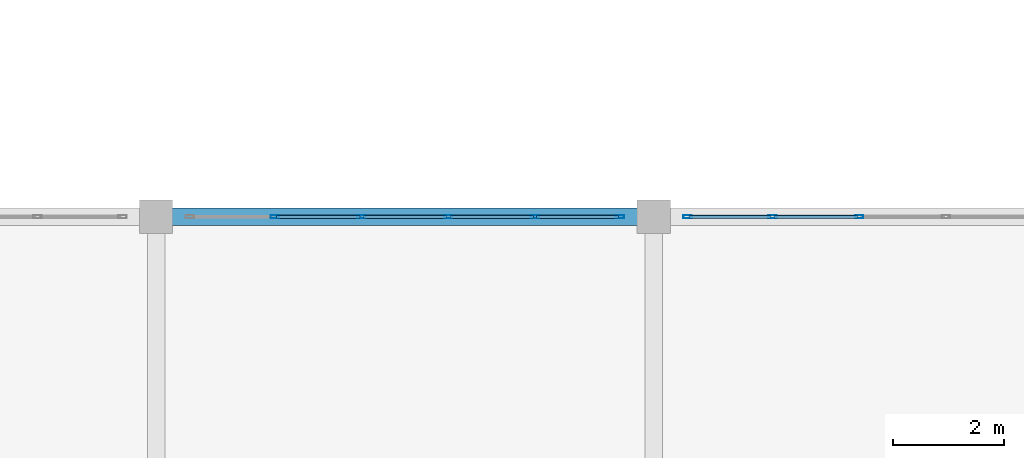
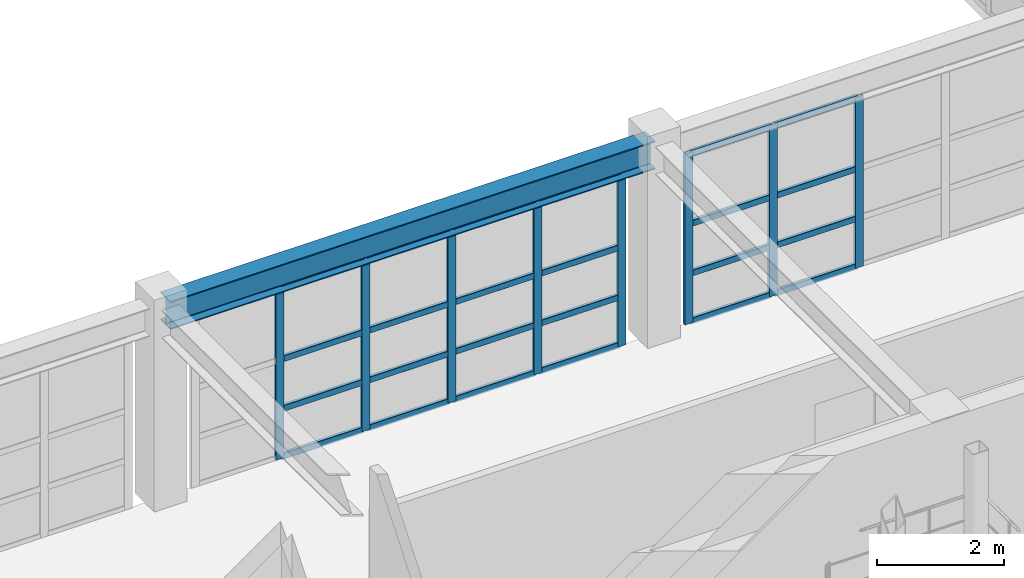
# One storey, part 56 of 110: 32 members, 1 beam, 2 elements without a shape of their own.
"""IFC4 building model written with IfcOpenShell, lengths in metres."""

from ifc_helpers import new_model, si_unit, direction, frame, origin, origin_2d, place, context, subcontext, project, spatial, hollow_rectangle, i_section, extrude, material, material_profile, profile_set, type_object, element, aggregate, save


model = new_model("IFC4")

# Units and contexts
model_context = context("Model", 3, precision=1e-05, world=origin(), true_north=direction((0.0, 1.0)))
body_context = subcontext(model_context, "Body", "Model", "MODEL_VIEW")
ifc_project = project(units=[si_unit("LENGTHUNIT", "METRE"), si_unit("AREAUNIT", "SQUARE_METRE"), si_unit("VOLUMEUNIT", "CUBIC_METRE"), si_unit("PLANEANGLEUNIT", "RADIAN"), si_unit("MASSUNIT", "GRAM", prefix="KILO")], contexts=[model_context])

# Site, building, storey
site_placement = place(None, origin())
site = spatial("IfcSite", under=ifc_project, at=site_placement, CompositionType="ELEMENT")
building_placement = place(site_placement, origin())
building = spatial("IfcBuilding", under=site, at=building_placement, Name="Miravela Opera House", CompositionType="ELEMENT")
storey_placement = place(building_placement, frame((0.0, 0.0, 13.60009765625)))
storey = spatial("IfcBuildingStorey", under=building, at=storey_placement, Name="L03", CompositionType="ELEMENT", Elevation=13.60009765625)

# Curtain wall, members
ifc_material_1 = material(Name="Anodised architectural bronze aluminium 6063-T6", Category="aluminium")
curtain_wall_type = type_object("IfcCurtainWallType", Name="ARC-CW-05", PredefinedType="NOTDEFINED", material=ifc_material_1)
curtain_wall_1_placement = place(storey_placement, origin())
curtain_wall_1 = element("IfcCurtainWall", 1, at=curtain_wall_1_placement, inside=storey, type_object=curtain_wall_type, Name="Courtyard Arcade Curtain Wall CW-L03-105", PredefinedType="NOTDEFINED")
ifc_material_profile_1 = material_profile(ifc_material_1, hollow_rectangle(XDim=0.06005859375, YDim=0.14990234375, WallThickness=0.00390625, InnerFilletRadius=0.001953125, OuterFilletRadius=0.00390625, at=origin_2d()), Name="CWM-60X150")
ifc_profile_set_1 = profile_set([ifc_material_profile_1])
member_type_1 = type_object("IfcMemberType", Name="ARC-CWM-150", PredefinedType="MULLION", material=ifc_profile_set_1)
member_1_placement = place(storey_placement, frame((47.14794921875, 84.0, 0.0), z_axis=(0.0, 0.0, 1.0), x_axis=(0.0, 1.0, 0.0)))
member_1 = element("IfcMember", 2, at=member_1_placement, type_object=member_type_1, Name="CW-05 mullion 2", PredefinedType="MULLION", context=body_context, shape_type="SweptSolid", body=[
    extrude(hollow_rectangle(XDim=0.06005859375, YDim=0.14990234375, WallThickness=0.00390625, InnerFilletRadius=0.001953125, OuterFilletRadius=0.00390625, at=origin_2d()), origin(), (0.0, 0.0, 1.0), 3.289794921875),
])
member_2_placement = place(storey_placement, frame((48.716064453125, 84.0, 0.0), z_axis=(0.0, 0.0, 1.0), x_axis=(0.0, 1.0, 0.0)))
member_2 = element("IfcMember", 3, at=member_2_placement, type_object=member_type_1, Name="CW-05 mullion 3", PredefinedType="MULLION", context=body_context, shape_type="SweptSolid", body=[
    extrude(hollow_rectangle(XDim=0.06005859375, YDim=0.14990234375, WallThickness=0.00390625, InnerFilletRadius=0.001953125, OuterFilletRadius=0.00390625, at=origin_2d()), origin(), (0.0, 0.0, 1.0), 3.289794921875),
])
member_3_placement = place(storey_placement, frame((50.283935546875, 84.0, 0.0), z_axis=(0.0, 0.0, 1.0), x_axis=(0.0, 1.0, 0.0)))
member_3 = element("IfcMember", 4, at=member_3_placement, type_object=member_type_1, Name="CW-05 mullion 4", PredefinedType="MULLION", context=body_context, shape_type="SweptSolid", body=[
    extrude(hollow_rectangle(XDim=0.06005859375, YDim=0.14990234375, WallThickness=0.00390625, InnerFilletRadius=0.001953125, OuterFilletRadius=0.00390625, at=origin_2d()), origin(), (0.0, 0.0, 1.0), 3.289794921875),
])
member_4_placement = place(storey_placement, frame((51.85205078125, 84.0, 0.0), z_axis=(0.0, 0.0, 1.0), x_axis=(0.0, 1.0, 0.0)))
member_4 = element("IfcMember", 5, at=member_4_placement, type_object=member_type_1, Name="CW-05 mullion 5", PredefinedType="MULLION", context=body_context, shape_type="SweptSolid", body=[
    extrude(hollow_rectangle(XDim=0.06005859375, YDim=0.14990234375, WallThickness=0.00390625, InnerFilletRadius=0.001953125, OuterFilletRadius=0.00390625, at=origin_2d()), origin(), (0.0, 0.0, 1.0), 3.289794921875),
])
member_5_placement = place(storey_placement, frame((53.389892578125, 84.0, 0.0), z_axis=(0.0, 0.0, 1.0), x_axis=(0.0, 1.0, 0.0)))
member_5 = element("IfcMember", 6, at=member_5_placement, type_object=member_type_1, Name="CW-05 mullion 6", PredefinedType="MULLION", context=body_context, shape_type="SweptSolid", body=[
    extrude(hollow_rectangle(XDim=0.06005859375, YDim=0.14990234375, WallThickness=0.00390625, InnerFilletRadius=0.001953125, OuterFilletRadius=0.00390625, at=origin_2d()), origin(), (0.0, 0.0, 1.0), 3.289794921875),
])

curtain_wall_2_placement = place(storey_placement, origin())
curtain_wall_2 = element("IfcCurtainWall", 7, at=curtain_wall_2_placement, inside=storey, type_object=curtain_wall_type, Name="Courtyard Arcade Curtain Wall CW-L03-107", PredefinedType="NOTDEFINED")
member_6_placement = place(storey_placement, frame((54.610107421875, 84.0, 0.0), z_axis=(0.0, 0.0, 1.0), x_axis=(0.0, 1.0, 0.0)))
member_6 = element("IfcMember", 8, at=member_6_placement, type_object=member_type_1, Name="CW-05 mullion 1", PredefinedType="MULLION", context=body_context, shape_type="SweptSolid", body=[
    extrude(hollow_rectangle(XDim=0.06005859375, YDim=0.14990234375, WallThickness=0.00390625, InnerFilletRadius=0.001953125, OuterFilletRadius=0.00390625, at=origin_2d()), origin(), (0.0, 0.0, 1.0), 3.289794921875),
])
member_7_placement = place(storey_placement, frame((56.14794921875, 84.0, 0.0), z_axis=(0.0, 0.0, 1.0), x_axis=(0.0, 1.0, 0.0)))
member_7 = element("IfcMember", 9, at=member_7_placement, type_object=member_type_1, Name="CW-05 mullion 2", PredefinedType="MULLION", context=body_context, shape_type="SweptSolid", body=[
    extrude(hollow_rectangle(XDim=0.06005859375, YDim=0.14990234375, WallThickness=0.00390625, InnerFilletRadius=0.001953125, OuterFilletRadius=0.00390625, at=origin_2d()), origin(), (0.0, 0.0, 1.0), 3.289794921875),
])
member_8_placement = place(storey_placement, frame((57.716064453125, 84.0, 0.0), z_axis=(0.0, 0.0, 1.0), x_axis=(0.0, 1.0, 0.0)))
member_8 = element("IfcMember", 10, at=member_8_placement, type_object=member_type_1, Name="CW-05 mullion 3", PredefinedType="MULLION", context=body_context, shape_type="SweptSolid", body=[
    extrude(hollow_rectangle(XDim=0.06005859375, YDim=0.14990234375, WallThickness=0.00390625, InnerFilletRadius=0.001953125, OuterFilletRadius=0.00390625, at=origin_2d()), origin(), (0.0, 0.0, 1.0), 3.289794921875),
])

# Member
ifc_material_profile_2 = material_profile(ifc_material_1, hollow_rectangle(XDim=0.06005859375, YDim=0.114990234375, WallThickness=0.00390625, InnerFilletRadius=0.001953125, OuterFilletRadius=0.00390625, at=origin_2d()), Name="CWT-60X115")
ifc_profile_set_2 = profile_set([ifc_material_profile_2])
member_type_2 = type_object("IfcMemberType", Name="ARC-CWT-115", PredefinedType="USERDEFINED", material=ifc_profile_set_2)
member_9_placement = place(storey_placement, frame((47.177978515625, 84.0, 0.02978515625), z_axis=(1.0, 0.0, 0.0), x_axis=(0.0, 1.0, 0.0)))
member_9 = element("IfcMember", 11, at=member_9_placement, type_object=member_type_2, Name="CW-05 transom 2.1", ObjectType="TRANSOM", PredefinedType="USERDEFINED", context=body_context, shape_type="SweptSolid", body=[
    extrude(hollow_rectangle(XDim=0.06005859375, YDim=0.114990234375, WallThickness=0.00390625, InnerFilletRadius=0.001953125, OuterFilletRadius=0.00390625, at=origin_2d()), origin(), (0.0, 0.0, 1.0), 1.508056640625),
])

member_10_placement = place(storey_placement, frame((47.177978515625, 84.0, 0.949951171875), z_axis=(1.0, 0.0, 0.0), x_axis=(0.0, 1.0, 0.0)))
member_10 = element("IfcMember", 12, at=member_10_placement, type_object=member_type_2, Name="CW-05 transom 2.2", ObjectType="TRANSOM", PredefinedType="USERDEFINED", context=body_context, shape_type="SweptSolid", body=[
    extrude(hollow_rectangle(XDim=0.06005859375, YDim=0.114990234375, WallThickness=0.00390625, InnerFilletRadius=0.001953125, OuterFilletRadius=0.00390625, at=origin_2d()), origin(), (0.0, 0.0, 1.0), 1.508056640625),
])

member_11_placement = place(storey_placement, frame((47.177978515625, 84.0, 1.908203125), z_axis=(1.0, 0.0, 0.0), x_axis=(0.0, 1.0, 0.0)))
member_11 = element("IfcMember", 13, at=member_11_placement, type_object=member_type_2, Name="CW-05 transom 2.3", ObjectType="TRANSOM", PredefinedType="USERDEFINED", context=body_context, shape_type="SweptSolid", body=[
    extrude(hollow_rectangle(XDim=0.06005859375, YDim=0.114990234375, WallThickness=0.00390625, InnerFilletRadius=0.001953125, OuterFilletRadius=0.00390625, at=origin_2d()), origin(), (0.0, 0.0, 1.0), 1.508056640625),
])

member_12_placement = place(storey_placement, frame((47.177978515625, 84.0, 3.260009765625), z_axis=(1.0, 0.0, 0.0), x_axis=(0.0, 1.0, 0.0)))
member_12 = element("IfcMember", 14, at=member_12_placement, type_object=member_type_2, Name="CW-05 transom 2.4", ObjectType="TRANSOM", PredefinedType="USERDEFINED", context=body_context, shape_type="SweptSolid", body=[
    extrude(hollow_rectangle(XDim=0.06005859375, YDim=0.114990234375, WallThickness=0.00390625, InnerFilletRadius=0.001953125, OuterFilletRadius=0.00390625, at=origin_2d()), origin(), (0.0, 0.0, 1.0), 1.508056640625),
])

member_13_placement = place(storey_placement, frame((48.74609375, 84.0, 0.02978515625), z_axis=(1.0, 0.0, 0.0), x_axis=(0.0, 1.0, 0.0)))
member_13 = element("IfcMember", 15, at=member_13_placement, type_object=member_type_2, Name="CW-05 transom 3.1", ObjectType="TRANSOM", PredefinedType="USERDEFINED", context=body_context, shape_type="SweptSolid", body=[
    extrude(hollow_rectangle(XDim=0.06005859375, YDim=0.114990234375, WallThickness=0.00390625, InnerFilletRadius=0.001953125, OuterFilletRadius=0.00390625, at=origin_2d()), origin(), (0.0, 0.0, 1.0), 1.5078125),
])

member_14_placement = place(storey_placement, frame((48.74609375, 84.0, 0.949951171875), z_axis=(1.0, 0.0, 0.0), x_axis=(0.0, 1.0, 0.0)))
member_14 = element("IfcMember", 16, at=member_14_placement, type_object=member_type_2, Name="CW-05 transom 3.2", ObjectType="TRANSOM", PredefinedType="USERDEFINED", context=body_context, shape_type="SweptSolid", body=[
    extrude(hollow_rectangle(XDim=0.06005859375, YDim=0.114990234375, WallThickness=0.00390625, InnerFilletRadius=0.001953125, OuterFilletRadius=0.00390625, at=origin_2d()), origin(), (0.0, 0.0, 1.0), 1.5078125),
])

member_15_placement = place(storey_placement, frame((48.74609375, 84.0, 1.908203125), z_axis=(1.0, 0.0, 0.0), x_axis=(0.0, 1.0, 0.0)))
member_15 = element("IfcMember", 17, at=member_15_placement, type_object=member_type_2, Name="CW-05 transom 3.3", ObjectType="TRANSOM", PredefinedType="USERDEFINED", context=body_context, shape_type="SweptSolid", body=[
    extrude(hollow_rectangle(XDim=0.06005859375, YDim=0.114990234375, WallThickness=0.00390625, InnerFilletRadius=0.001953125, OuterFilletRadius=0.00390625, at=origin_2d()), origin(), (0.0, 0.0, 1.0), 1.5078125),
])

member_16_placement = place(storey_placement, frame((48.74609375, 84.0, 3.260009765625), z_axis=(1.0, 0.0, 0.0), x_axis=(0.0, 1.0, 0.0)))
member_16 = element("IfcMember", 18, at=member_16_placement, type_object=member_type_2, Name="CW-05 transom 3.4", ObjectType="TRANSOM", PredefinedType="USERDEFINED", context=body_context, shape_type="SweptSolid", body=[
    extrude(hollow_rectangle(XDim=0.06005859375, YDim=0.114990234375, WallThickness=0.00390625, InnerFilletRadius=0.001953125, OuterFilletRadius=0.00390625, at=origin_2d()), origin(), (0.0, 0.0, 1.0), 1.5078125),
])

member_17_placement = place(storey_placement, frame((50.31396484375, 84.0, 0.02978515625), z_axis=(1.0, 0.0, 0.0), x_axis=(0.0, 1.0, 0.0)))
member_17 = element("IfcMember", 19, at=member_17_placement, type_object=member_type_2, Name="CW-05 transom 4.1", ObjectType="TRANSOM", PredefinedType="USERDEFINED", context=body_context, shape_type="SweptSolid", body=[
    extrude(hollow_rectangle(XDim=0.06005859375, YDim=0.114990234375, WallThickness=0.00390625, InnerFilletRadius=0.001953125, OuterFilletRadius=0.00390625, at=origin_2d()), origin(), (0.0, 0.0, 1.0), 1.508056640625),
])

member_18_placement = place(storey_placement, frame((50.31396484375, 84.0, 0.949951171875), z_axis=(1.0, 0.0, 0.0), x_axis=(0.0, 1.0, 0.0)))
member_18 = element("IfcMember", 20, at=member_18_placement, type_object=member_type_2, Name="CW-05 transom 4.2", ObjectType="TRANSOM", PredefinedType="USERDEFINED", context=body_context, shape_type="SweptSolid", body=[
    extrude(hollow_rectangle(XDim=0.06005859375, YDim=0.114990234375, WallThickness=0.00390625, InnerFilletRadius=0.001953125, OuterFilletRadius=0.00390625, at=origin_2d()), origin(), (0.0, 0.0, 1.0), 1.508056640625),
])

member_19_placement = place(storey_placement, frame((50.31396484375, 84.0, 1.908203125), z_axis=(1.0, 0.0, 0.0), x_axis=(0.0, 1.0, 0.0)))
member_19 = element("IfcMember", 21, at=member_19_placement, type_object=member_type_2, Name="CW-05 transom 4.3", ObjectType="TRANSOM", PredefinedType="USERDEFINED", context=body_context, shape_type="SweptSolid", body=[
    extrude(hollow_rectangle(XDim=0.06005859375, YDim=0.114990234375, WallThickness=0.00390625, InnerFilletRadius=0.001953125, OuterFilletRadius=0.00390625, at=origin_2d()), origin(), (0.0, 0.0, 1.0), 1.508056640625),
])

member_20_placement = place(storey_placement, frame((50.31396484375, 84.0, 3.260009765625), z_axis=(1.0, 0.0, 0.0), x_axis=(0.0, 1.0, 0.0)))
member_20 = element("IfcMember", 22, at=member_20_placement, type_object=member_type_2, Name="CW-05 transom 4.4", ObjectType="TRANSOM", PredefinedType="USERDEFINED", context=body_context, shape_type="SweptSolid", body=[
    extrude(hollow_rectangle(XDim=0.06005859375, YDim=0.114990234375, WallThickness=0.00390625, InnerFilletRadius=0.001953125, OuterFilletRadius=0.00390625, at=origin_2d()), origin(), (0.0, 0.0, 1.0), 1.508056640625),
])

member_21_placement = place(storey_placement, frame((51.882080078125, 84.0, 0.02978515625), z_axis=(1.0, 0.0, 0.0), x_axis=(0.0, 1.0, 0.0)))
member_21 = element("IfcMember", 23, at=member_21_placement, type_object=member_type_2, Name="CW-05 transom 5.1", ObjectType="TRANSOM", PredefinedType="USERDEFINED", context=body_context, shape_type="SweptSolid", body=[
    extrude(hollow_rectangle(XDim=0.06005859375, YDim=0.114990234375, WallThickness=0.00390625, InnerFilletRadius=0.001953125, OuterFilletRadius=0.00390625, at=origin_2d()), origin(), (0.0, 0.0, 1.0), 1.47802734375),
])

member_22_placement = place(storey_placement, frame((51.882080078125, 84.0, 0.949951171875), z_axis=(1.0, 0.0, 0.0), x_axis=(0.0, 1.0, 0.0)))
member_22 = element("IfcMember", 24, at=member_22_placement, type_object=member_type_2, Name="CW-05 transom 5.2", ObjectType="TRANSOM", PredefinedType="USERDEFINED", context=body_context, shape_type="SweptSolid", body=[
    extrude(hollow_rectangle(XDim=0.06005859375, YDim=0.114990234375, WallThickness=0.00390625, InnerFilletRadius=0.001953125, OuterFilletRadius=0.00390625, at=origin_2d()), origin(), (0.0, 0.0, 1.0), 1.47802734375),
])

member_23_placement = place(storey_placement, frame((51.882080078125, 84.0, 1.908203125), z_axis=(1.0, 0.0, 0.0), x_axis=(0.0, 1.0, 0.0)))
member_23 = element("IfcMember", 25, at=member_23_placement, type_object=member_type_2, Name="CW-05 transom 5.3", ObjectType="TRANSOM", PredefinedType="USERDEFINED", context=body_context, shape_type="SweptSolid", body=[
    extrude(hollow_rectangle(XDim=0.06005859375, YDim=0.114990234375, WallThickness=0.00390625, InnerFilletRadius=0.001953125, OuterFilletRadius=0.00390625, at=origin_2d()), origin(), (0.0, 0.0, 1.0), 1.47802734375),
])

member_24_placement = place(storey_placement, frame((51.882080078125, 84.0, 3.260009765625), z_axis=(1.0, 0.0, 0.0), x_axis=(0.0, 1.0, 0.0)))
member_24 = element("IfcMember", 26, at=member_24_placement, type_object=member_type_2, Name="CW-05 transom 5.4", ObjectType="TRANSOM", PredefinedType="USERDEFINED", context=body_context, shape_type="SweptSolid", body=[
    extrude(hollow_rectangle(XDim=0.06005859375, YDim=0.114990234375, WallThickness=0.00390625, InnerFilletRadius=0.001953125, OuterFilletRadius=0.00390625, at=origin_2d()), origin(), (0.0, 0.0, 1.0), 1.47802734375),
])

aggregate(curtain_wall_1, [member_1, member_2, member_3, member_4, member_5, member_9, member_10, member_11, member_12, member_13, member_14, member_15, member_16, member_17, member_18, member_19, member_20, member_21, member_22, member_23, member_24])

member_25_placement = place(storey_placement, frame((54.639892578125, 84.0, 0.02978515625), z_axis=(1.0, 0.0, 0.0), x_axis=(0.0, 1.0, 0.0)))
member_25 = element("IfcMember", 27, at=member_25_placement, type_object=member_type_2, Name="CW-05 transom 1.1", ObjectType="TRANSOM", PredefinedType="USERDEFINED", context=body_context, shape_type="SweptSolid", body=[
    extrude(hollow_rectangle(XDim=0.06005859375, YDim=0.114990234375, WallThickness=0.00390625, InnerFilletRadius=0.001953125, OuterFilletRadius=0.00390625, at=origin_2d()), origin(), (0.0, 0.0, 1.0), 1.47802734375),
])

member_26_placement = place(storey_placement, frame((54.639892578125, 84.0, 0.949951171875), z_axis=(1.0, 0.0, 0.0), x_axis=(0.0, 1.0, 0.0)))
member_26 = element("IfcMember", 28, at=member_26_placement, type_object=member_type_2, Name="CW-05 transom 1.2", ObjectType="TRANSOM", PredefinedType="USERDEFINED", context=body_context, shape_type="SweptSolid", body=[
    extrude(hollow_rectangle(XDim=0.06005859375, YDim=0.114990234375, WallThickness=0.00390625, InnerFilletRadius=0.001953125, OuterFilletRadius=0.00390625, at=origin_2d()), origin(), (0.0, 0.0, 1.0), 1.47802734375),
])

member_27_placement = place(storey_placement, frame((54.639892578125, 84.0, 1.908203125), z_axis=(1.0, 0.0, 0.0), x_axis=(0.0, 1.0, 0.0)))
member_27 = element("IfcMember", 29, at=member_27_placement, type_object=member_type_2, Name="CW-05 transom 1.3", ObjectType="TRANSOM", PredefinedType="USERDEFINED", context=body_context, shape_type="SweptSolid", body=[
    extrude(hollow_rectangle(XDim=0.06005859375, YDim=0.114990234375, WallThickness=0.00390625, InnerFilletRadius=0.001953125, OuterFilletRadius=0.00390625, at=origin_2d()), origin(), (0.0, 0.0, 1.0), 1.47802734375),
])

member_28_placement = place(storey_placement, frame((54.639892578125, 84.0, 3.260009765625), z_axis=(1.0, 0.0, 0.0), x_axis=(0.0, 1.0, 0.0)))
member_28 = element("IfcMember", 30, at=member_28_placement, type_object=member_type_2, Name="CW-05 transom 1.4", ObjectType="TRANSOM", PredefinedType="USERDEFINED", context=body_context, shape_type="SweptSolid", body=[
    extrude(hollow_rectangle(XDim=0.06005859375, YDim=0.114990234375, WallThickness=0.00390625, InnerFilletRadius=0.001953125, OuterFilletRadius=0.00390625, at=origin_2d()), origin(), (0.0, 0.0, 1.0), 1.47802734375),
])

member_29_placement = place(storey_placement, frame((56.177978515625, 84.0, 0.02978515625), z_axis=(1.0, 0.0, 0.0), x_axis=(0.0, 1.0, 0.0)))
member_29 = element("IfcMember", 31, at=member_29_placement, type_object=member_type_2, Name="CW-05 transom 2.1", ObjectType="TRANSOM", PredefinedType="USERDEFINED", context=body_context, shape_type="SweptSolid", body=[
    extrude(hollow_rectangle(XDim=0.06005859375, YDim=0.114990234375, WallThickness=0.00390625, InnerFilletRadius=0.001953125, OuterFilletRadius=0.00390625, at=origin_2d()), origin(), (0.0, 0.0, 1.0), 1.508056640625),
])

member_30_placement = place(storey_placement, frame((56.177978515625, 84.0, 0.949951171875), z_axis=(1.0, 0.0, 0.0), x_axis=(0.0, 1.0, 0.0)))
member_30 = element("IfcMember", 32, at=member_30_placement, type_object=member_type_2, Name="CW-05 transom 2.2", ObjectType="TRANSOM", PredefinedType="USERDEFINED", context=body_context, shape_type="SweptSolid", body=[
    extrude(hollow_rectangle(XDim=0.06005859375, YDim=0.114990234375, WallThickness=0.00390625, InnerFilletRadius=0.001953125, OuterFilletRadius=0.00390625, at=origin_2d()), origin(), (0.0, 0.0, 1.0), 1.508056640625),
])

member_31_placement = place(storey_placement, frame((56.177978515625, 84.0, 1.908203125), z_axis=(1.0, 0.0, 0.0), x_axis=(0.0, 1.0, 0.0)))
member_31 = element("IfcMember", 33, at=member_31_placement, type_object=member_type_2, Name="CW-05 transom 2.3", ObjectType="TRANSOM", PredefinedType="USERDEFINED", context=body_context, shape_type="SweptSolid", body=[
    extrude(hollow_rectangle(XDim=0.06005859375, YDim=0.114990234375, WallThickness=0.00390625, InnerFilletRadius=0.001953125, OuterFilletRadius=0.00390625, at=origin_2d()), origin(), (0.0, 0.0, 1.0), 1.508056640625),
])

member_32_placement = place(storey_placement, frame((56.177978515625, 84.0, 3.260009765625), z_axis=(1.0, 0.0, 0.0), x_axis=(0.0, 1.0, 0.0)))
member_32 = element("IfcMember", 34, at=member_32_placement, type_object=member_type_2, Name="CW-05 transom 2.4", ObjectType="TRANSOM", PredefinedType="USERDEFINED", context=body_context, shape_type="SweptSolid", body=[
    extrude(hollow_rectangle(XDim=0.06005859375, YDim=0.114990234375, WallThickness=0.00390625, InnerFilletRadius=0.001953125, OuterFilletRadius=0.00390625, at=origin_2d()), origin(), (0.0, 0.0, 1.0), 1.508056640625),
])

aggregate(curtain_wall_2, [member_6, member_7, member_8, member_25, member_26, member_27, member_28, member_29, member_30, member_31, member_32])

# Beam
ifc_material_2 = material(Name="Structural steel ASTM A992 Gr. 50", Category="steel")
ifc_material_profile_3 = material_profile(ifc_material_2, i_section(OverallWidth=0.31201171875, OverallDepth=0.54296875, WebThickness=0.0126953125, FlangeThickness=0.020263671875, FilletRadius=0.01611328125, at=origin_2d()), Name="W530X150")
ifc_profile_set_3 = profile_set([ifc_material_profile_3])
beam_type = type_object("IfcBeamType", Name="STR-BM-W530X150", PredefinedType="BEAM", material=ifc_profile_set_3)
beam_placement = place(storey_placement, frame((45.080078125, 84.0, 3.568359375), z_axis=(1.0, 0.0, 0.0), x_axis=(0.0, 1.0, 0.0)))
element("IfcBeam", 35, at=beam_placement, inside=storey, type_object=beam_type, Name="Roof Eave Girder ROOF-V3-WEST-S N4", PredefinedType="BEAM", context=body_context, shape_type="SweptSolid", body=[
    extrude(i_section(OverallWidth=0.31201171875, OverallDepth=0.54296875, WebThickness=0.0126953125, FlangeThickness=0.020263671875, FilletRadius=0.01611328125, at=origin_2d()), origin(), (0.0, 0.0, 1.0), 8.83984375),
])

save(model, "model.ifc")
